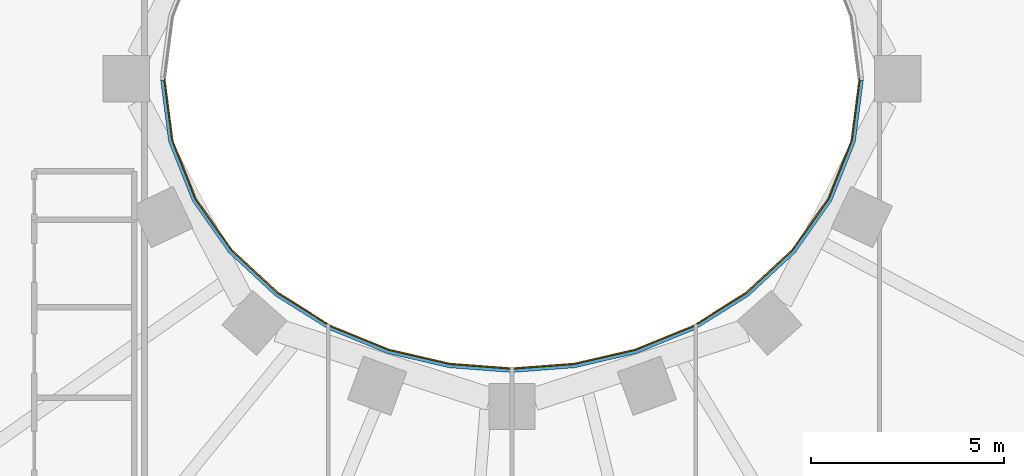
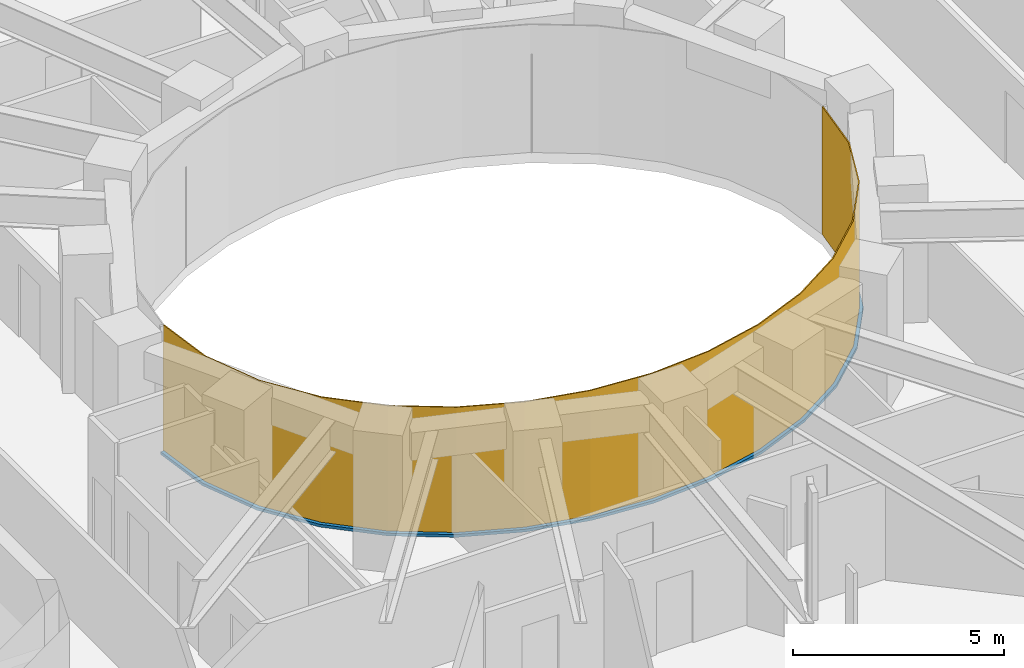
# One storey, part 9 of 16: 1 curtain wall, 1 member.
"""IFC4 building model written with IfcOpenShell, lengths in metres."""

from ifc_helpers import new_model, si_unit, direction, frame, origin, place, context, subcontext, project, spatial, polyline, outline, extrude, material, layer, layer_set, type_object, element, aggregate, save


model = new_model("IFC4")

# Units and contexts
model_context = context("Model", 3, precision=1e-05, world=origin(), true_north=direction((0.0, 1.0)))
body_context = subcontext(model_context, "Body", "Model", "MODEL_VIEW")
ifc_project = project(units=[si_unit("LENGTHUNIT", "METRE"), si_unit("AREAUNIT", "SQUARE_METRE"), si_unit("VOLUMEUNIT", "CUBIC_METRE"), si_unit("PLANEANGLEUNIT", "RADIAN"), si_unit("MASSUNIT", "GRAM", prefix="KILO")], contexts=[model_context])

# Member
ifc_material_1 = material(Name="Steel S355 fire-resisting frame", Category="steel")
member_type = type_object("IfcMemberType", Name="ENV-TRANSOM-W", PredefinedType="USERDEFINED", material=ifc_material_1)
site_placement = place(None, origin())
building_placement = place(site_placement, origin())
storey_placement = place(building_placement, frame((0.0, 0.0, 96.0)))
member_placement = place(storey_placement, origin())
member = element("IfcMember", 1, at=member_placement, type_object=member_type, Name="Transom W well 17-01", ObjectType="TRANSOM", PredefinedType="USERDEFINED", context=body_context, shape_type="SweptSolid", body=[
    extrude(outline(polyline([(-9.119384765625, -0.02783203125), (-8.910400390625, -1.63623046875), (-8.29833984375, -3.167236328125), (-7.35107421875, -4.5146484375), (-6.1455078125, -5.6337890625), (-4.75341796875, -6.50634765625), (-3.233642578125, -7.127685546875), (-1.635498046875, -7.498779296875), (0.0, -7.622314453125), (1.635498046875, -7.498779296875), (3.233642578125, -7.127685546875), (4.75341796875, -6.50634765625), (6.1455078125, -5.6337890625), (7.35107421875, -4.5146484375), (8.29833984375, -3.167236328125), (8.910400390625, -1.63623046875), (9.119384765625, -0.02783203125), (9.02880859375, -0.02783203125), (8.822509765625, -1.61328125), (8.21875, -3.124267578125), (7.282958984375, -4.455078125), (6.090576171875, -5.56201171875), (4.712158203125, -6.426025390625), (3.206298828125, -7.04150390625), (1.621826171875, -7.40966796875), (0.0, -7.531982421875), (-1.621826171875, -7.40966796875), (-3.206298828125, -7.04150390625), (-4.712158203125, -6.426025390625), (-6.090576171875, -5.56201171875), (-7.282958984375, -4.455078125), (-8.21875, -3.124267578125), (-8.822509765625, -1.61328125), (-9.02880859375, -0.02783203125), (-9.119384765625, -0.02783203125)])), origin(), (0.0, 0.0, 1.0), 0.080078125),
])

# Site, building, storey
site = spatial("IfcSite", under=ifc_project, at=site_placement, CompositionType="ELEMENT")
building = spatial("IfcBuilding", under=site, at=building_placement, Name="Noorbagh Ring Tower", CompositionType="ELEMENT")
storey = spatial("IfcBuildingStorey", under=building, at=storey_placement, Name="L21", CompositionType="ELEMENT", Elevation=96.0)

# Curtain wall
ifc_material_2 = material(Name="Glass fire-resisting E60 laminated", Category="glass")
ifc_layer = layer(ifc_material_2, 0.031982421875)
ifc_layer_set = layer_set([ifc_layer], Name="Glass fire-resisting E60 laminated")
curtain_wall_type = type_object("IfcCurtainWallType", Name="ENV-CW-W", PredefinedType="NOTDEFINED", material=ifc_layer_set)
curtain_wall_placement = place(storey_placement, origin())
curtain_wall = element("IfcCurtainWall", 2, at=curtain_wall_placement, inside=storey, type_object=curtain_wall_type, Name="Curtain wall W W17", PredefinedType="NOTDEFINED", context=body_context, shape_type="SweptSolid", body=[
    extrude(outline(polyline([(-9.0322265625, 0.0), (-8.822509765625, -1.61328125), (-8.21875, -3.124267578125), (-7.282958984375, -4.455078125), (-6.090576171875, -5.56201171875), (-4.712158203125, -6.426025390625), (-3.206298828125, -7.04150390625), (-1.621826171875, -7.40966796875), (0.0, -7.531982421875), (1.621826171875, -7.40966796875), (3.206298828125, -7.04150390625), (4.712158203125, -6.426025390625), (6.090576171875, -5.56201171875), (7.282958984375, -4.455078125), (8.21875, -3.124267578125), (8.822509765625, -1.61328125), (9.0322265625, 0.0), (9.0, 0.0), (8.79150390625, -1.605224609375), (8.1904296875, -3.10888671875), (7.2587890625, -4.43408203125), (6.071044921875, -5.53662109375), (4.697509765625, -6.3974609375), (3.196533203125, -7.010986328125), (1.6171875, -7.3779296875), (0.0, -7.5), (-1.6171875, -7.3779296875), (-3.196533203125, -7.010986328125), (-4.697509765625, -6.3974609375), (-6.071044921875, -5.53662109375), (-7.2587890625, -4.43408203125), (-8.1904296875, -3.10888671875), (-8.79150390625, -1.605224609375), (-9.0, 0.0), (-9.0322265625, 0.0)])), origin(), (0.0, 0.0, 1.0), 3.699951171875),
])

aggregate(curtain_wall, [member])

save(model, "model.ifc")
